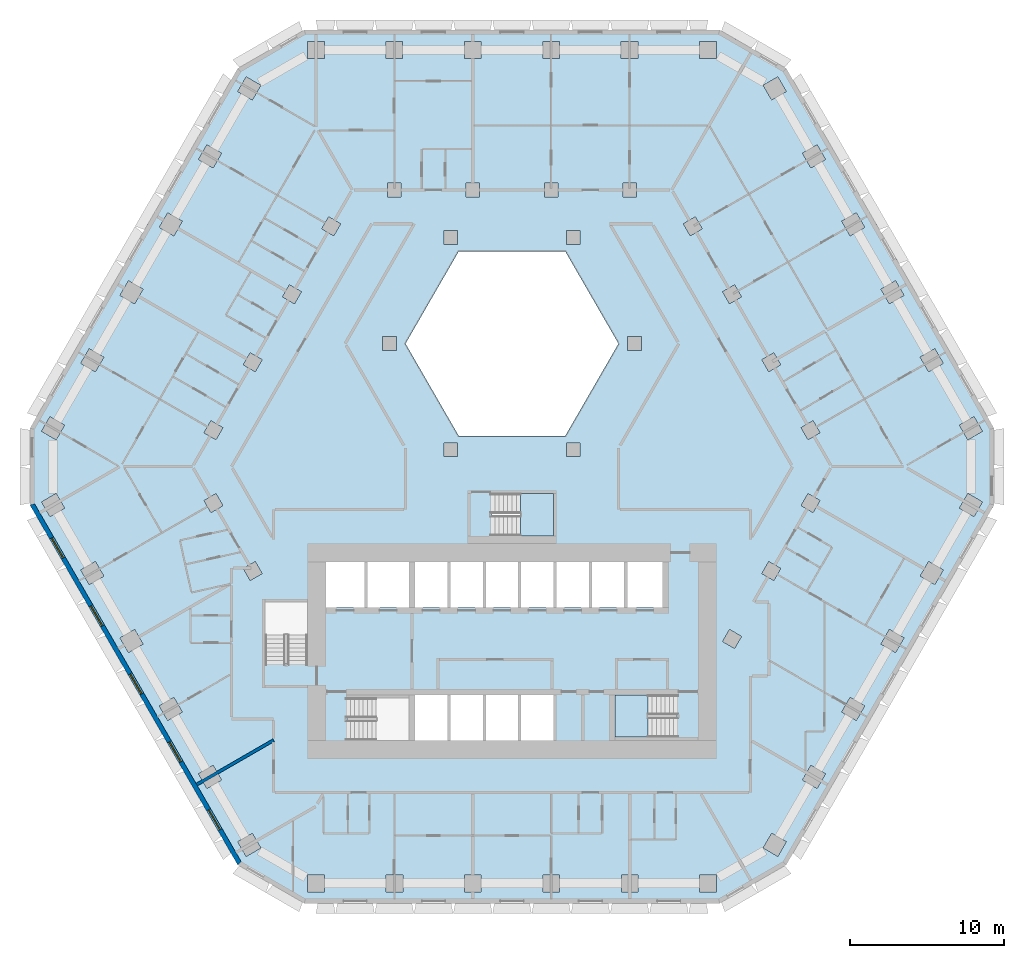
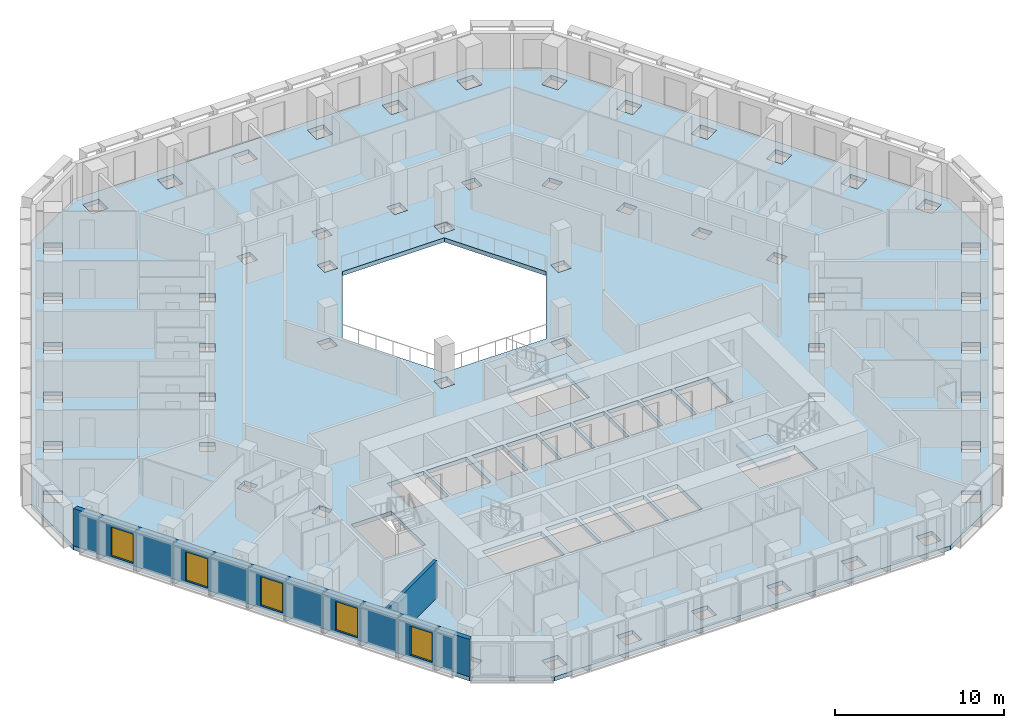
# One storey, part 2 of 16: 5 windows, 3 slabs, 2 walls, 5 openings, 2 elements without a shape of their own.
"""IFC4 building model written with IfcOpenShell, lengths in metres."""

from ifc_helpers import new_model, si_unit, direction, frame, frame_2d, origin, place, context, subcontext, project, spatial, polyline, rectangle, outline, extrude, material, layer, layer_set, type_object, element, fill, aggregate, save


model = new_model("IFC4")

# Units and contexts
model_context = context("Model", 3, precision=1e-05, world=origin(), true_north=direction((0.0, 1.0)))
body_context = subcontext(model_context, "Body", "Model", "MODEL_VIEW")
ifc_project = project(units=[si_unit("LENGTHUNIT", "METRE"), si_unit("AREAUNIT", "SQUARE_METRE"), si_unit("VOLUMEUNIT", "CUBIC_METRE"), si_unit("PLANEANGLEUNIT", "RADIAN"), si_unit("MASSUNIT", "GRAM", prefix="KILO")], contexts=[model_context])

# Site, building, storey
site_placement = place(None, origin())
site = spatial("IfcSite", under=ifc_project, at=site_placement, CompositionType="ELEMENT")
building_placement = place(site_placement, origin())
building = spatial("IfcBuilding", under=site, at=building_placement, Name="Beryl Residences", CompositionType="ELEMENT")
storey_placement = place(building_placement, frame((0.0, 0.0, 50.39990234375)))
storey = spatial("IfcBuildingStorey", under=building, at=storey_placement, Name="L15", CompositionType="ELEMENT", Elevation=50.39990234375)

# Slab
ifc_material_1 = material(Name="Concrete C40/50", Category="concrete")
ifc_layer_1 = layer(ifc_material_1, 0.300048828125)
ifc_layer_set_1 = layer_set([ifc_layer_1], Name="SL7 PT floor slab 300 mm C40/50")
slab_type_1 = type_object("IfcSlabType", Name="SL7 PT floor slab 300 mm C40/50", PredefinedType="FLOOR", material=ifc_layer_set_1)
slab_1_placement = place(storey_placement, frame((0.0, 0.0, -0.2998046875)))
element("IfcSlab", 1, at=slab_1_placement, inside=storey, type_object=slab_type_1, Name="L15 slab 1", PredefinedType="FLOOR", context=body_context, shape_type="SweptSolid", body=[
    extrude(outline(polyline([(31.35009765625, -2.5), (17.840087890625, -25.89990234375), (13.510009765625, -28.39990234375), (-13.510009765625, -28.39990234375), (-17.840087890625, -25.89990234375), (-31.35009765625, -2.5), (-31.35009765625, 2.5), (-17.840087890625, 25.89990234375), (-13.510009765625, 28.39990234375), (13.510009765625, 28.39990234375), (17.840087890625, 25.89990234375), (31.35009765625, 2.5), (31.35009765625, -2.5)]), holes=[polyline([(30.60009765625, -2.298095703125), (29.64794921875, -1.748046875), (29.097900390625, -2.699951171875), (30.050048828125, -3.25), (30.60009765625, -2.298095703125)]), polyline([(30.59912109375, 2.299072265625), (30.049072265625, 3.2509765625), (29.096923828125, 2.700927734375), (29.64697265625, 1.7490234375), (30.59912109375, 2.299072265625)]), polyline([(28.049072265625, -6.718017578125), (27.096923828125, -6.16796875), (26.547119140625, -7.1201171875), (27.4990234375, -7.669921875), (28.049072265625, -6.718017578125)]), polyline([(27.498046875, 7.672119140625), (26.5458984375, 7.1220703125), (27.095947265625, 6.169921875), (28.048095703125, 6.719970703125), (27.498046875, 7.672119140625)]), polyline([(24.544921875, -10.587890625), (23.9951171875, -11.5400390625), (24.947021484375, -12.090087890625), (25.4970703125, -11.137939453125), (24.544921875, -10.587890625)]), polyline([(25.49609375, 11.139892578125), (24.946044921875, 12.092041015625), (23.993896484375, 11.5419921875), (24.5439453125, 10.590087890625), (25.49609375, 11.139892578125)]), polyline([(22.39501953125, -16.510009765625), (22.945068359375, -15.55810546875), (21.992919921875, -15.008056640625), (21.443115234375, -15.9599609375), (22.39501953125, -16.510009765625)]), polyline([(22.39404296875, 16.511962890625), (21.44189453125, 15.9619140625), (21.991943359375, 15.010009765625), (22.944091796875, 15.56005859375), (22.39404296875, 16.511962890625)]), polyline([(20.39306640625, -19.97900390625), (19.44091796875, -19.428955078125), (18.89111328125, -20.381103515625), (19.843017578125, -20.930908203125), (20.39306640625, -19.97900390625)]), polyline([(19.842041015625, 20.931884765625), (18.889892578125, 20.382080078125), (19.43994140625, 19.429931640625), (20.39208984375, 19.97998046875), (19.842041015625, 20.931884765625)]), polyline([(20.031982421875, -2.2041015625), (19.251953125, -1.75390625), (18.802001953125, -2.533935546875), (19.58203125, -2.98388671875), (20.031982421875, -2.2041015625)]), polyline([(20.031005859375, 2.2060546875), (19.5810546875, 2.986083984375), (18.801025390625, 2.535888671875), (19.2509765625, 1.756103515625), (20.031005859375, 2.2060546875)]), polyline([(17.841064453125, -24.39892578125), (16.888916015625, -23.84912109375), (16.339111328125, -24.801025390625), (17.291015625, -25.35107421875), (17.841064453125, -24.39892578125)]), polyline([(17.840087890625, 24.39990234375), (17.2900390625, 25.35205078125), (16.337890625, 24.802001953125), (16.887939453125, 23.85009765625), (17.840087890625, 24.39990234375)]), polyline([(17.47998046875, -6.6240234375), (16.699951171875, -6.174072265625), (16.25, -6.9541015625), (17.030029296875, -7.404052734375), (17.47998046875, -6.6240234375)]), polyline([(17.029052734375, 7.406005859375), (16.2490234375, 6.9560546875), (16.698974609375, 6.176025390625), (17.47900390625, 6.6259765625), (17.029052734375, 7.406005859375)]), polyline([(14.927978515625, -11.0439453125), (14.14794921875, -10.593994140625), (13.697998046875, -11.3740234375), (14.47802734375, -11.823974609375), (14.927978515625, -11.0439453125)]), polyline([(14.927001953125, 11.0458984375), (14.47705078125, 11.825927734375), (13.697021484375, 11.3759765625), (14.14697265625, 10.595947265625), (14.927001953125, 11.0458984375)]), polyline([(13.31103515625, -27.64990234375), (13.31103515625, -26.550048828125), (12.2109375, -26.550048828125), (12.2109375, -27.64990234375), (13.31103515625, -27.64990234375)]), polyline([(13.30908203125, 27.64990234375), (12.208984375, 27.64990234375), (12.208984375, 26.550048828125), (13.30908203125, 26.550048828125), (13.30908203125, 27.64990234375)]), polyline([(11.925048828125, 16.24609375), (11.14501953125, 15.7958984375), (11.594970703125, 15.01611328125), (12.375, 15.466064453125), (11.925048828125, 16.24609375)]), polyline([(10.699951171875, -14.85009765625), (6.699951171875, -14.85009765625), (6.699951171875, -17.60009765625), (10.699951171875, -17.60009765625), (10.699951171875, -14.85009765625)]), polyline([(9.800048828125, -6.199951171875), (7.5, -6.199951171875), (7.5, -9.14990234375), (9.800048828125, -9.14990234375), (9.800048828125, -6.199951171875)]), polyline([(8.4169921875, 7.550048828125), (8.4169921875, 8.449951171875), (7.51708984375, 8.449951171875), (7.51708984375, 7.550048828125), (8.4169921875, 7.550048828125)]), polyline([(7.10693359375, -27.64990234375), (8.20703125, -27.64990234375), (8.20703125, -26.550048828125), (7.10693359375, -26.550048828125), (7.10693359375, -27.64990234375)]), polyline([(8.205078125, 27.64990234375), (7.10498046875, 27.64990234375), (7.10498046875, 26.550048828125), (8.205078125, 26.550048828125), (8.205078125, 27.64990234375)]), polyline([(7.205078125, 18.449951171875), (7.205078125, 17.550048828125), (8.10498046875, 17.550048828125), (8.10498046875, 18.449951171875), (7.205078125, 18.449951171875)]), polyline([(5.199951171875, -9.14990234375), (7.300048828125, -9.14990234375), (7.300048828125, -6.199951171875), (5.199951171875, -6.199951171875), (5.199951171875, -9.14990234375)]), polyline([(3.464111328125, 14.0), (-3.464111328125, 14.0), (-6.92822265625, 8.0), (-3.464111328125, 2.0), (3.464111328125, 2.0), (6.92822265625, 8.0), (3.464111328125, 14.0)]), polyline([(2.89990234375, -6.199951171875), (2.89990234375, -9.14990234375), (5.0, -9.14990234375), (5.0, -6.199951171875), (2.89990234375, -6.199951171875)]), polyline([(4.43408203125, 15.35009765625), (3.533935546875, 15.35009765625), (3.533935546875, 14.449951171875), (4.43408203125, 14.449951171875), (4.43408203125, 15.35009765625)]), polyline([(4.43408203125, 0.64990234375), (4.43408203125, 1.550048828125), (3.533935546875, 1.550048828125), (3.533935546875, 0.64990234375), (4.43408203125, 0.64990234375)]), polyline([(3.10302734375, -27.64990234375), (3.10302734375, -26.550048828125), (2.0029296875, -26.550048828125), (2.0029296875, -27.64990234375), (3.10302734375, -27.64990234375)]), polyline([(2.0009765625, 27.64990234375), (2.0009765625, 26.550048828125), (3.10107421875, 26.550048828125), (3.10107421875, 27.64990234375), (2.0009765625, 27.64990234375)]), polyline([(3.0009765625, 18.449951171875), (2.10107421875, 18.449951171875), (2.10107421875, 17.550048828125), (3.0009765625, 17.550048828125), (3.0009765625, 18.449951171875)]), polyline([(-1.300048828125, -1.75), (-1.300048828125, -4.5), (2.699951171875, -4.5), (2.699951171875, -1.75), (-1.300048828125, -1.75)]), polyline([(0.60009765625, -9.14990234375), (2.699951171875, -9.14990234375), (2.699951171875, -6.199951171875), (0.60009765625, -6.199951171875), (0.60009765625, -9.14990234375)]), polyline([(0.60009765625, -17.800048828125), (2.699951171875, -17.800048828125), (2.699951171875, -14.85009765625), (0.60009765625, -14.85009765625), (0.60009765625, -17.800048828125)]), polyline([(-1.699951171875, -6.199951171875), (-1.699951171875, -9.14990234375), (0.39990234375, -9.14990234375), (0.39990234375, -6.199951171875), (-1.699951171875, -6.199951171875)]), polyline([(-1.699951171875, -14.85009765625), (-1.699951171875, -17.800048828125), (0.39990234375, -17.800048828125), (0.39990234375, -14.85009765625), (-1.699951171875, -14.85009765625)]), polyline([(-4.0, -9.14990234375), (-1.89990234375, -9.14990234375), (-1.89990234375, -6.199951171875), (-4.0, -6.199951171875), (-4.0, -9.14990234375)]), polyline([(-4.0, -17.800048828125), (-1.89990234375, -17.800048828125), (-1.89990234375, -14.85009765625), (-4.0, -14.85009765625), (-4.0, -17.800048828125)]), polyline([(-2.0009765625, -27.64990234375), (-2.0009765625, -26.550048828125), (-3.10107421875, -26.550048828125), (-3.10107421875, -27.64990234375), (-2.0009765625, -27.64990234375)]), polyline([(-3.10302734375, 27.64990234375), (-3.10302734375, 26.550048828125), (-2.0029296875, 26.550048828125), (-2.0029296875, 27.64990234375), (-3.10302734375, 27.64990234375)]), polyline([(-2.10302734375, 18.449951171875), (-3.0029296875, 18.449951171875), (-3.0029296875, 17.550048828125), (-2.10302734375, 17.550048828125), (-2.10302734375, 18.449951171875)]), polyline([(-3.533935546875, 14.449951171875), (-3.533935546875, 15.35009765625), (-4.43408203125, 15.35009765625), (-4.43408203125, 14.449951171875), (-3.533935546875, 14.449951171875)]), polyline([(-3.533935546875, 0.64990234375), (-3.533935546875, 1.550048828125), (-4.43408203125, 1.550048828125), (-4.43408203125, 0.64990234375), (-3.533935546875, 0.64990234375)]), polyline([(-6.300048828125, -9.14990234375), (-4.199951171875, -9.14990234375), (-4.199951171875, -6.199951171875), (-6.300048828125, -6.199951171875), (-6.300048828125, -9.14990234375)]), polyline([(-6.300048828125, -14.85009765625), (-6.300048828125, -17.800048828125), (-4.199951171875, -17.800048828125), (-4.199951171875, -14.85009765625), (-6.300048828125, -14.85009765625)]), polyline([(-6.699951171875, -17.800048828125), (-6.699951171875, -15.050048828125), (-10.699951171875, -15.050048828125), (-10.699951171875, -17.800048828125), (-6.699951171875, -17.800048828125)]), polyline([(-9.39990234375, -6.199951171875), (-9.39990234375, -9.14990234375), (-6.699951171875, -9.14990234375), (-6.699951171875, -6.199951171875), (-9.39990234375, -6.199951171875)]), polyline([(-8.205078125, -27.64990234375), (-7.10498046875, -27.64990234375), (-7.10498046875, -26.550048828125), (-8.205078125, -26.550048828125), (-8.205078125, -27.64990234375)]), polyline([(-7.10693359375, 27.64990234375), (-8.20703125, 27.64990234375), (-8.20703125, 26.550048828125), (-7.10693359375, 26.550048828125), (-7.10693359375, 27.64990234375)]), polyline([(-8.10693359375, 18.449951171875), (-8.10693359375, 17.550048828125), (-7.20703125, 17.550048828125), (-7.20703125, 18.449951171875), (-8.10693359375, 18.449951171875)]), polyline([(-8.4169921875, 7.550048828125), (-7.51708984375, 7.550048828125), (-7.51708984375, 8.449951171875), (-8.4169921875, 8.449951171875), (-8.4169921875, 7.550048828125)]), polyline([(-12.10009765625, -6.199951171875), (-12.10009765625, -9.14990234375), (-9.60009765625, -9.14990234375), (-9.60009765625, -6.199951171875), (-12.10009765625, -6.199951171875)]), polyline([(-12.3759765625, 15.465087890625), (-11.595947265625, 15.014892578125), (-11.14599609375, 15.794921875), (-11.926025390625, 16.2451171875), (-12.3759765625, 15.465087890625)]), polyline([(-12.208984375, -26.550048828125), (-13.30908203125, -26.550048828125), (-13.30908203125, -27.64990234375), (-12.208984375, -27.64990234375), (-12.208984375, -26.550048828125)]), polyline([(-13.31103515625, 27.64990234375), (-13.31103515625, 26.550048828125), (-12.2109375, 26.550048828125), (-12.2109375, 27.64990234375), (-13.31103515625, 27.64990234375)]), polyline([(-13.300048828125, -8.800048828125), (-16.050048828125, -8.800048828125), (-16.050048828125, -12.800048828125), (-13.300048828125, -12.800048828125), (-13.300048828125, -8.800048828125)]), polyline([(-14.47802734375, 11.823974609375), (-14.927978515625, 11.0439453125), (-14.14794921875, 10.593994140625), (-13.697998046875, 11.3740234375), (-14.47802734375, 11.823974609375)]), polyline([(-17.029052734375, -7.406005859375), (-16.2490234375, -6.9560546875), (-16.698974609375, -6.176025390625), (-17.47900390625, -6.6259765625), (-17.029052734375, -7.406005859375)]), polyline([(-17.47998046875, 6.6240234375), (-16.699951171875, 6.174072265625), (-16.25, 6.9541015625), (-17.030029296875, 7.404052734375), (-17.47998046875, 6.6240234375)]), polyline([(-17.2900390625, -25.35205078125), (-16.337890625, -24.802001953125), (-16.887939453125, -23.85009765625), (-17.840087890625, -24.39990234375), (-17.2900390625, -25.35205078125)]), polyline([(-17.841064453125, 24.39892578125), (-16.888916015625, 23.84912109375), (-16.339111328125, 24.801025390625), (-17.291015625, 25.35107421875), (-17.841064453125, 24.39892578125)]), polyline([(-20.031005859375, -2.2060546875), (-19.5810546875, -2.986083984375), (-18.801025390625, -2.535888671875), (-19.2509765625, -1.756103515625), (-20.031005859375, -2.2060546875)]), polyline([(-19.58203125, 2.98388671875), (-20.031982421875, 2.2041015625), (-19.251953125, 1.75390625), (-18.802001953125, 2.533935546875), (-19.58203125, 2.98388671875)]), polyline([(-19.842041015625, -20.931884765625), (-18.889892578125, -20.382080078125), (-19.43994140625, -19.429931640625), (-20.39208984375, -19.97998046875), (-19.842041015625, -20.931884765625)]), polyline([(-20.39306640625, 19.97900390625), (-19.44091796875, 19.428955078125), (-18.89111328125, 20.381103515625), (-19.843017578125, 20.930908203125), (-20.39306640625, 19.97900390625)]), polyline([(-22.39404296875, -16.511962890625), (-21.44189453125, -15.9619140625), (-21.991943359375, -15.010009765625), (-22.944091796875, -15.56005859375), (-22.39404296875, -16.511962890625)]), polyline([(-22.945068359375, 15.55810546875), (-21.992919921875, 15.008056640625), (-21.443115234375, 15.9599609375), (-22.39501953125, 16.510009765625), (-22.945068359375, 15.55810546875)]), polyline([(-24.946044921875, -12.092041015625), (-23.993896484375, -11.5419921875), (-24.5439453125, -10.590087890625), (-25.49609375, -11.139892578125), (-24.946044921875, -12.092041015625)]), polyline([(-24.544921875, 10.587890625), (-23.9951171875, 11.5400390625), (-24.947021484375, 12.090087890625), (-25.4970703125, 11.137939453125), (-24.544921875, 10.587890625)]), polyline([(-27.498046875, -7.672119140625), (-26.5458984375, -7.1220703125), (-27.095947265625, -6.169921875), (-28.048095703125, -6.719970703125), (-27.498046875, -7.672119140625)]), polyline([(-28.049072265625, 6.718017578125), (-27.096923828125, 6.16796875), (-26.547119140625, 7.1201171875), (-27.4990234375, 7.669921875), (-28.049072265625, 6.718017578125)]), polyline([(-29.096923828125, -2.700927734375), (-29.64697265625, -1.7490234375), (-30.59912109375, -2.299072265625), (-30.049072265625, -3.2509765625), (-29.096923828125, -2.700927734375)]), polyline([(-30.60009765625, 2.298095703125), (-29.64794921875, 1.748046875), (-29.097900390625, 2.699951171875), (-30.050048828125, 3.25), (-30.60009765625, 2.298095703125)])]), origin(), (0.0, 0.0, 1.0), 0.2998046875),
])

# Stair, slab
ifc_material_2 = material(Name="Concrete C40/50", Category="concrete")
stair_type = type_object("IfcStairType", Name="ST1 protected exit stair, half-turn, 1300 mm flights", PredefinedType="HALF_TURN_STAIR", material=ifc_material_2)
stair_1_placement = place(storey_placement, origin())
stair_1 = element("IfcStair", 2, at=stair_1_placement, inside=storey, type_object=stair_type, Name="L15 PROTECTED EXIT STAIR ST-3", PredefinedType="HALF_TURN_STAIR")
ifc_material_3 = material(Name="Concrete C40/50", Category="concrete")
ifc_layer_2 = layer(ifc_material_3, 0.199951171875)
ifc_layer_set_2 = layer_set([ifc_layer_2], Name="SLD1 stair landing 200 mm")
slab_type_2 = type_object("IfcSlabType", Name="SLD1 stair landing 200 mm", PredefinedType="LANDING", material=ifc_layer_set_2)
slab_2_placement = place(storey_placement, frame((0.0, 0.0, 1.300048828125)))
slab_2 = element("IfcSlab", 3, at=slab_2_placement, type_object=slab_type_2, Name="ST-3 landing 1", PredefinedType="LANDING", context=body_context, shape_type="SweptSolid", body=[
    extrude(outline(polyline([(8.840087890625, -14.85009765625), (6.699951171875, -14.85009765625), (6.699951171875, -17.60009765625), (8.840087890625, -17.60009765625), (8.840087890625, -14.85009765625)])), origin(), (0.0, 0.0, 1.0), 0.199951171875),
])
aggregate(stair_1, [slab_2])

stair_2_placement = place(storey_placement, origin())
stair_2 = element("IfcStair", 4, at=stair_2_placement, inside=storey, type_object=stair_type, Name="L15 PROTECTED EXIT STAIR ST-4", PredefinedType="HALF_TURN_STAIR")
slab_3_placement = place(storey_placement, frame((0.0, 0.0, 1.300048828125)))
slab_3 = element("IfcSlab", 5, at=slab_3_placement, type_object=slab_type_2, Name="ST-4 landing 1", PredefinedType="LANDING", context=body_context, shape_type="SweptSolid", body=[
    extrude(outline(polyline([(0.56005859375, -4.5), (2.699951171875, -4.5), (2.699951171875, -1.75), (0.56005859375, -1.75), (0.56005859375, -4.5)])), origin(), (0.0, 0.0, 1.0), 0.199951171875),
])
aggregate(stair_2, [slab_3])

# Wall, openings, windows
ifc_material_4 = material(Name="Composite metal panel with mineral wool insulation")
ifc_layer_3 = layer(ifc_material_4, 0.300048828125)
ifc_layer_set_3 = layer_set([ifc_layer_3], Name="ES1 pale metal composite panel wall 300 mm")
wall_type_1 = type_object("IfcWallType", Name="ES1 pale metal composite panel wall 300 mm", PredefinedType="SOLIDWALL", material=ifc_layer_set_3)
wall_1_placement = place(storey_placement, frame((-31.219970703125, -2.425048828125, 0.0), z_axis=(0.0, 0.0, 1.0), x_axis=(0.500001938803, -0.866024284413, 0.0)))
wall_1 = element("IfcWall", 6, at=wall_1_placement, inside=storey, type_object=wall_type_1, Name="ES1 external wall L15 SW", PredefinedType="SOLIDWALL", context=body_context, shape_type="SweptSolid", body=[
    extrude(outline(polyline([(0.0, -0.14990234375), (27.02001953125, -0.14990234375), (26.939697265625, 0.14990234375), (0.080322265625, 0.14990234375), (0.0, -0.14990234375)])), origin(), (0.0, 0.0, 1.0), 2.7001953125),
])
opening_1_placement = place(wall_1_placement, frame((2.552978515625, 0.0, 0.14990234375)))
opening_1 = element("IfcOpeningElement", 7, at=opening_1_placement, cuts=wall_1, Name="Opening W1", PredefinedType="OPENING", context=body_context, shape_type="SweptSolid", body=[
    extrude(rectangle(XDim=1.5, YDim=2.10009765625, at=frame_2d((0.75, 1.050048828125))), frame((0.0, 0.159912109375, 0.0), z_axis=(0.0, -1.0, 0.0), x_axis=(1.0, 0.0, 0.0)), (0.0, 0.0, 1.0), 0.320068359375),
])
opening_2_placement = place(wall_1_placement, frame((7.656982421875, 0.0, 0.14990234375)))
opening_2 = element("IfcOpeningElement", 8, at=opening_2_placement, cuts=wall_1, Name="Opening W1", PredefinedType="OPENING", context=body_context, shape_type="SweptSolid", body=[
    extrude(rectangle(XDim=1.5, YDim=2.10009765625, at=frame_2d((0.75, 1.050048828125))), frame((0.0, 0.159912109375, 0.0), z_axis=(0.0, -1.0, 0.0), x_axis=(1.0, 0.0, 0.0)), (0.0, 0.0, 1.0), 0.320068359375),
])
opening_3_placement = place(wall_1_placement, frame((12.760986328125, 0.0, 0.14990234375)))
opening_3 = element("IfcOpeningElement", 9, at=opening_3_placement, cuts=wall_1, Name="Opening W1", PredefinedType="OPENING", context=body_context, shape_type="SweptSolid", body=[
    extrude(rectangle(XDim=1.5, YDim=2.10009765625, at=frame_2d((0.75, 1.050048828125))), frame((0.0, 0.159912109375, 0.0), z_axis=(0.0, -1.0, 0.0), x_axis=(1.0, 0.0, 0.0)), (0.0, 0.0, 1.0), 0.320068359375),
])
opening_4_placement = place(wall_1_placement, frame((17.864990234375, 0.0, 0.14990234375)))
opening_4 = element("IfcOpeningElement", 10, at=opening_4_placement, cuts=wall_1, Name="Opening W1", PredefinedType="OPENING", context=body_context, shape_type="SweptSolid", body=[
    extrude(rectangle(XDim=1.5, YDim=2.10009765625, at=frame_2d((0.75, 1.050048828125))), frame((0.0, 0.159912109375, 0.0), z_axis=(0.0, -1.0, 0.0), x_axis=(1.0, 0.0, 0.0)), (0.0, 0.0, 1.0), 0.320068359375),
])
opening_5_placement = place(wall_1_placement, frame((22.968994140625, 0.0, 0.14990234375)))
opening_5 = element("IfcOpeningElement", 11, at=opening_5_placement, cuts=wall_1, Name="Opening W1", PredefinedType="OPENING", context=body_context, shape_type="SweptSolid", body=[
    extrude(rectangle(XDim=1.5, YDim=2.10009765625, at=frame_2d((0.75, 1.050048828125))), frame((0.0, 0.159912109375, 0.0), z_axis=(0.0, -1.0, 0.0), x_axis=(1.0, 0.0, 0.0)), (0.0, 0.0, 1.0), 0.320068359375),
])
ifc_material_5 = material(Name="Aluminium and clear glass", Category="aluminium")
window_type = type_object("IfcWindowType", Name="W1 cell window 1500 x 2100 mm", PartitioningType="SINGLE_PANEL", PredefinedType="WINDOW", material=ifc_material_5)
window_1_placement = place(opening_1_placement, origin())
window_1 = element("IfcWindow", 12, at=window_1_placement, inside=storey, type_object=window_type, Name="W1 window L15 SW 2", OverallHeight=2.10009765625, OverallWidth=1.5, PartitioningType="SINGLE_PANEL", PredefinedType="WINDOW", context=body_context, shape_type="SweptSolid", body=[
    extrude(rectangle(XDim=1.5, YDim=2.10009765625, at=frame_2d((0.75, 1.050048828125))), frame((0.0, 0.030029296875, 0.0), z_axis=(0.0, -1.0, 0.0), x_axis=(1.0, 0.0, 0.0)), (0.0, 0.0, 1.0), 0.06005859375),
])
fill(opening_1, window_1)
window_2_placement = place(opening_2_placement, origin())
window_2 = element("IfcWindow", 13, at=window_2_placement, inside=storey, type_object=window_type, Name="W1 window L15 SW 4", OverallHeight=2.10009765625, OverallWidth=1.5, PartitioningType="SINGLE_PANEL", PredefinedType="WINDOW", context=body_context, shape_type="SweptSolid", body=[
    extrude(rectangle(XDim=1.5, YDim=2.10009765625, at=frame_2d((0.75, 1.050048828125))), frame((0.0, 0.030029296875, 0.0), z_axis=(0.0, -1.0, 0.0), x_axis=(1.0, 0.0, 0.0)), (0.0, 0.0, 1.0), 0.06005859375),
])
fill(opening_2, window_2)
window_3_placement = place(opening_3_placement, origin())
window_3 = element("IfcWindow", 14, at=window_3_placement, inside=storey, type_object=window_type, Name="W1 window L15 SW 6", OverallHeight=2.10009765625, OverallWidth=1.5, PartitioningType="SINGLE_PANEL", PredefinedType="WINDOW", context=body_context, shape_type="SweptSolid", body=[
    extrude(rectangle(XDim=1.5, YDim=2.10009765625, at=frame_2d((0.75, 1.050048828125))), frame((0.0, 0.030029296875, 0.0), z_axis=(0.0, -1.0, 0.0), x_axis=(1.0, 0.0, 0.0)), (0.0, 0.0, 1.0), 0.06005859375),
])
fill(opening_3, window_3)
window_4_placement = place(opening_4_placement, origin())
window_4 = element("IfcWindow", 15, at=window_4_placement, inside=storey, type_object=window_type, Name="W1 window L15 SW 8", OverallHeight=2.10009765625, OverallWidth=1.5, PartitioningType="SINGLE_PANEL", PredefinedType="WINDOW", context=body_context, shape_type="SweptSolid", body=[
    extrude(rectangle(XDim=1.5, YDim=2.10009765625, at=frame_2d((0.75, 1.050048828125))), frame((0.0, 0.030029296875, 0.0), z_axis=(0.0, -1.0, 0.0), x_axis=(1.0, 0.0, 0.0)), (0.0, 0.0, 1.0), 0.06005859375),
])
fill(opening_4, window_4)
window_5_placement = place(opening_5_placement, origin())
window_5 = element("IfcWindow", 16, at=window_5_placement, inside=storey, type_object=window_type, Name="W1 window L15 SW 10", OverallHeight=2.10009765625, OverallWidth=1.5, PartitioningType="SINGLE_PANEL", PredefinedType="WINDOW", context=body_context, shape_type="SweptSolid", body=[
    extrude(rectangle(XDim=1.5, YDim=2.10009765625, at=frame_2d((0.75, 1.050048828125))), frame((0.0, 0.030029296875, 0.0), z_axis=(0.0, -1.0, 0.0), x_axis=(1.0, 0.0, 0.0)), (0.0, 0.0, 1.0), 0.06005859375),
])
fill(opening_5, window_5)

# Wall
ifc_material_6 = material(Name="Acoustic double stud gypsum board wall")
ifc_layer_4 = layer(ifc_material_6, 0.199951171875)
ifc_layer_set_4 = layer_set([ifc_layer_4], Name="PT3 party wall 200 mm acoustic double stud")
wall_type_2 = type_object("IfcWallType", Name="PT3 party wall 200 mm acoustic double stud", PredefinedType="PARTITIONING", material=ifc_layer_set_4)
wall_2_placement = place(storey_placement, frame((-20.507080078125, -20.680908203125, 0.0), z_axis=(0.0, 0.0, 1.0), x_axis=(0.86602314875, 0.500003905814, 0.0)))
element("IfcWall", 17, at=wall_2_placement, inside=storey, type_object=wall_type_2, Name="Wall PT3 L15 017", PredefinedType="PARTITIONING", context=body_context, shape_type="SweptSolid", body=[
    extrude(rectangle(XDim=5.78173828125, YDim=0.199951171875, at=frame_2d((2.890869140625, 0.0))), origin(), (0.0, 0.0, 1.0), 2.7001953125),
])

save(model, "model.ifc")
